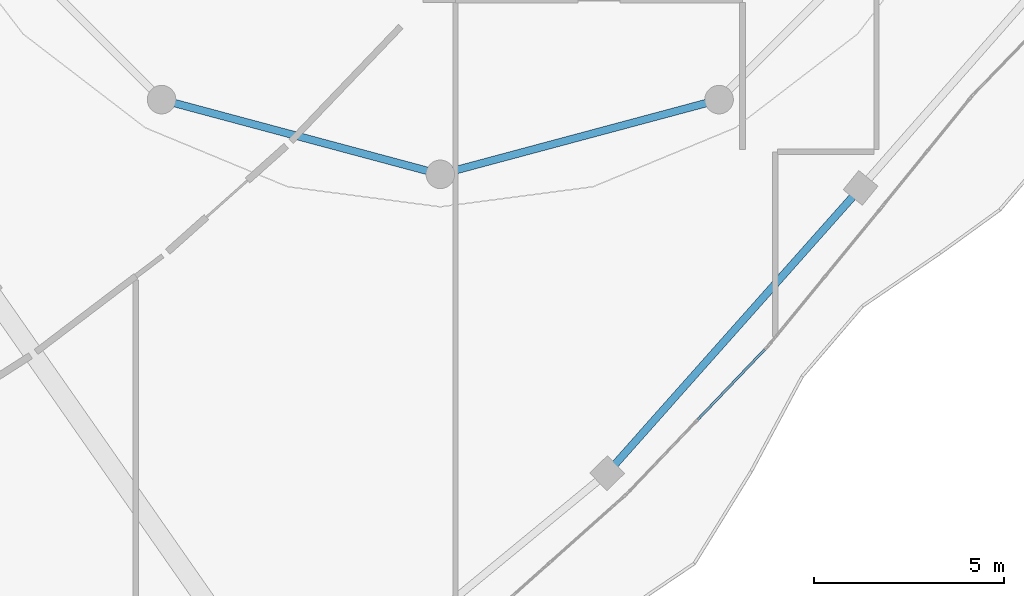
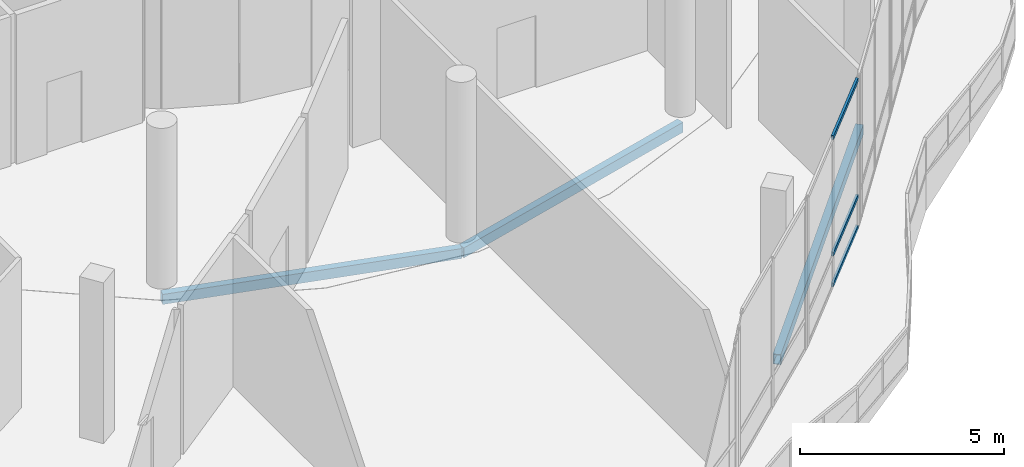
# One storey, part 43 of 155: 3 beams, 3 members, 1 element without a shape of its own.
"""IFC4 building model written with IfcOpenShell, lengths in metres."""

from ifc_helpers import new_model, si_unit, direction, frame, origin, origin_2d, place, context, subcontext, project, spatial, hollow_rectangle, extrude, material, material_profile, profile_set, type_object, element, aggregate, save


model = new_model("IFC4")

# Units and contexts
model_context = context("Model", 3, precision=1e-05, world=origin(), true_north=direction((0.0, 1.0)))
body_context = subcontext(model_context, "Body", "Model", "MODEL_VIEW")
ifc_project = project(units=[si_unit("LENGTHUNIT", "METRE"), si_unit("AREAUNIT", "SQUARE_METRE"), si_unit("VOLUMEUNIT", "CUBIC_METRE"), si_unit("PLANEANGLEUNIT", "RADIAN"), si_unit("MASSUNIT", "GRAM", prefix="KILO")], contexts=[model_context])

# Site, building, storey
site_placement = place(None, origin())
site = spatial("IfcSite", under=ifc_project, at=site_placement, CompositionType="ELEMENT")
building_placement = place(site_placement, origin())
building = spatial("IfcBuilding", under=site, at=building_placement, Name="Selatvlak General Hospital", CompositionType="ELEMENT")
storey_placement = place(building_placement, frame((0.0, 0.0, 10.199951171875)))
storey = spatial("IfcBuildingStorey", under=building, at=storey_placement, Name="L02", CompositionType="ELEMENT", Elevation=10.199951171875)

# Beams
ifc_material_1 = material(Name="Steel S355", Category="steel")
ifc_material_profile_1 = material_profile(ifc_material_1, hollow_rectangle(XDim=0.199951171875, YDim=0.300048828125, WallThickness=0.011962890625, at=origin_2d()), Name="RHS 300x200x12")
ifc_profile_set_1 = profile_set([ifc_material_profile_1], Name="Steel S355")
beam_type = type_object("IfcBeamType", Name="BM-SP3", PredefinedType="SPANDREL", material=ifc_profile_set_1)
for number, where, z_axis, x_axis, name in (
    (1, (90.675048828125, 41.31298828125, -0.5048828125), (0.965920028052, -0.25884068345, 0.0), (0.25884068345, 0.965920028052, 0.0), "Beam BMR-L02-1095"),
    (2, (98.0, 39.35009765625, -0.5048828125), (0.965920028052, 0.25884068345, 0.0), (-0.25884068345, 0.965920028052, 0.0), "Beam BMR-L02-1096"),
):
    element("IfcBeam", number, at=place(storey_placement, frame(where, z_axis=z_axis, x_axis=x_axis)), inside=storey, type_object=beam_type, Name=name, PredefinedType="SPANDREL", context=body_context, shape_type="SweptSolid", body=[
        extrude(hollow_rectangle(XDim=0.199951171875, YDim=0.300048828125, WallThickness=0.011962890625, at=origin_2d()), origin(), (0.0, 0.0, 1.0), 7.58349609375),
    ])
beam_placement = place(storey_placement, frame((102.383056640625, 31.4970703125, -0.5048828125), z_axis=(0.664193048636, 0.747561097265, 0.0), x_axis=(-0.747561097265, 0.664193048636, 0.0)))
element("IfcBeam", 3, at=beam_placement, inside=storey, type_object=beam_type, Name="Beam BMR-L02-1146", PredefinedType="SPANDREL", context=body_context, shape_type="SweptSolid", body=[
    extrude(hollow_rectangle(XDim=0.199951171875, YDim=0.300048828125, WallThickness=0.011962890625, at=origin_2d()), origin(), (0.0, 0.0, 1.0), 10.027099609375),
])

# Curtain wall, members
ifc_material_2 = material(Name="Solar-control Low-E double glazing", Category="glass")
curtain_wall_type = type_object("IfcCurtainWallType", Name="CW-CW-02", PredefinedType="USERDEFINED", material=ifc_material_2)
curtain_wall_placement = place(storey_placement, origin())
curtain_wall = element("IfcCurtainWall", 4, at=curtain_wall_placement, inside=storey, type_object=curtain_wall_type, Name="Glazed facade curtain wall CW-L02-0296", ObjectType="UNITISED CURTAIN WALL", PredefinedType="USERDEFINED")
ifc_material_3 = material(Name="Dark anodised aluminium mullion", Category="aluminium")
ifc_material_profile_2 = material_profile(ifc_material_3, hollow_rectangle(XDim=0.06494140625, YDim=0.1201171875, WallThickness=0.00390625, at=origin_2d()), Name="AL-TRN 65x120x4")
ifc_profile_set_2 = profile_set([ifc_material_profile_2], Name="Dark anodised aluminium mullion")
member_type = type_object("IfcMemberType", Name="CWT-01", PredefinedType="USERDEFINED", material=ifc_profile_set_2)
member_1_placement = place(storey_placement, frame((106.523193359375, 34.7451171875, 0.032470703125), z_axis=(-0.690961349091, -0.722891702859, 0.0), x_axis=(0.722891702859, -0.690961349091, 0.0)))
member_1 = element("IfcMember", 5, at=member_1_placement, type_object=member_type, Name="CW-02 transom 1.1", ObjectType="TRANSOM", PredefinedType="USERDEFINED", context=body_context, shape_type="SweptSolid", body=[
    extrude(hollow_rectangle(XDim=0.06494140625, YDim=0.1201171875, WallThickness=0.00390625, at=origin_2d()), origin(), (0.0, 0.0, 1.0), 2.546142578125),
])
member_2_placement = place(storey_placement, frame((106.523193359375, 34.7451171875, 0.949951171875), z_axis=(-0.690961349091, -0.722891702859, 0.0), x_axis=(0.722891702859, -0.690961349091, 0.0)))
member_2 = element("IfcMember", 6, at=member_2_placement, type_object=member_type, Name="CW-02 transom 1.2", ObjectType="TRANSOM", PredefinedType="USERDEFINED", context=body_context, shape_type="SweptSolid", body=[
    extrude(hollow_rectangle(XDim=0.06494140625, YDim=0.1201171875, WallThickness=0.00390625, at=origin_2d()), origin(), (0.0, 0.0, 1.0), 2.546142578125),
])
member_3_placement = place(storey_placement, frame((106.523193359375, 34.7451171875, 4.427490234375), z_axis=(-0.690961349091, -0.722891702859, 0.0), x_axis=(0.722891702859, -0.690961349091, 0.0)))
member_3 = element("IfcMember", 7, at=member_3_placement, type_object=member_type, Name="CW-02 transom 1.3", ObjectType="TRANSOM", PredefinedType="USERDEFINED", context=body_context, shape_type="SweptSolid", body=[
    extrude(hollow_rectangle(XDim=0.06494140625, YDim=0.1201171875, WallThickness=0.00390625, at=origin_2d()), origin(), (0.0, 0.0, 1.0), 2.546142578125),
])
aggregate(curtain_wall, [member_1, member_2, member_3])

save(model, "model.ifc")
